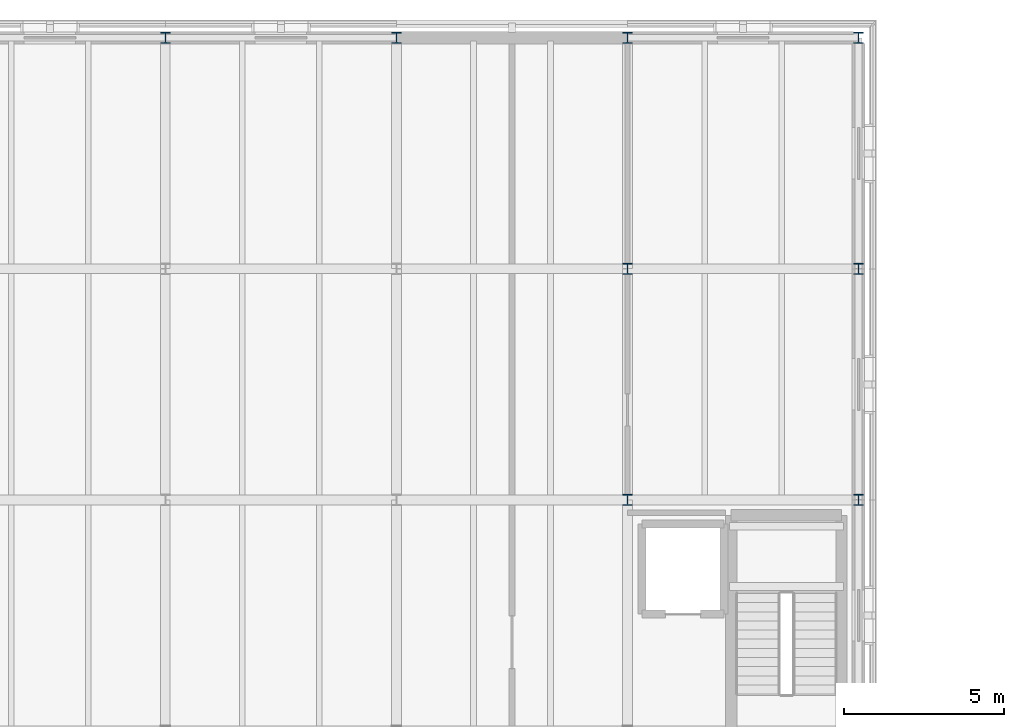
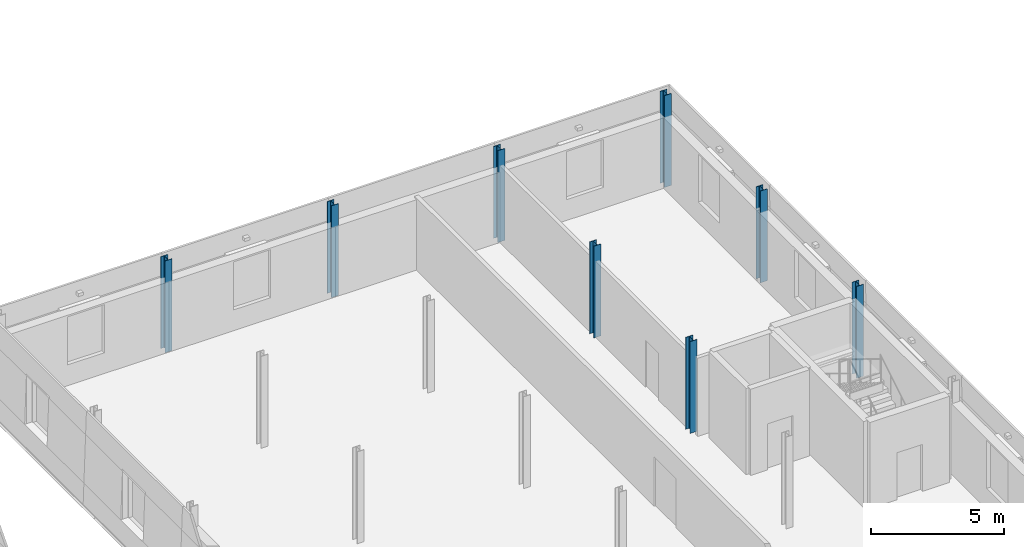
# One storey, part 8 of 91: 8 columns.
"""IFC4 building model written with IfcOpenShell, lengths in metres."""

from ifc_helpers import new_model, si_unit, direction, frame, origin, origin_2d, place, context, subcontext, project, spatial, i_section, extrude, material, material_profile, profile_set, type_object, element, save


model = new_model("IFC4")

# Units and contexts
model_context = context("Model", 3, precision=1e-05, world=origin(), true_north=direction((0.0, 1.0)))
body_context = subcontext(model_context, "Body", "Model", "MODEL_VIEW")
ifc_project = project(units=[si_unit("LENGTHUNIT", "METRE"), si_unit("AREAUNIT", "SQUARE_METRE"), si_unit("VOLUMEUNIT", "CUBIC_METRE"), si_unit("PLANEANGLEUNIT", "RADIAN"), si_unit("MASSUNIT", "GRAM", prefix="KILO")], contexts=[model_context])

# Site, building, storey
site_placement = place(None, origin())
site = spatial("IfcSite", under=ifc_project, at=site_placement, CompositionType="ELEMENT")
building_placement = place(site_placement, origin())
building = spatial("IfcBuilding", under=site, at=building_placement, Name="Narikvali Park Central Library", CompositionType="ELEMENT")
storey_placement = place(building_placement, frame((0.0, 0.0, 14.39990234375)))
storey = spatial("IfcBuildingStorey", under=building, at=storey_placement, Name="L03", CompositionType="ELEMENT", Elevation=14.39990234375)

# Columns
ifc_material = material(Name="Steel S355", Category="steel")
ifc_material_profile = material_profile(ifc_material, i_section(OverallWidth=0.300048828125, OverallDepth=0.340087890625, WebThickness=0.011962890625, FlangeThickness=0.021484375, FilletRadius=0.027099609375, at=origin_2d()), Name="HEB 340")
ifc_profile_set = profile_set([ifc_material_profile], Name="Steel S355")
column_type = type_object("IfcColumnType", Name="Steel Column HEB340", PredefinedType="COLUMN", material=ifc_profile_set)
for number, where, z_axis, x_axis, name in (
    (1, (36.0, 115.199951171875, 0.0), (0.0, 0.0, 1.0), (1.0, 0.0, 0.0), "V4 L03 Column (36.0,115.2)"),
    (2, (43.199951171875, 115.199951171875, 0.0), (0.0, 0.0, 1.0), (1.0, 0.0, 0.0), "V4 L03 Column (43.2,115.2)"),
    (3, (50.39990234375, 100.800048828125, 0.0), (0.0, 0.0, 1.0), (1.0, 0.0, 0.0), "V4 L03 Column (50.4,100.8)"),
    (4, (50.39990234375, 108.0, 0.0), (0.0, 0.0, 1.0), (1.0, 0.0, 0.0), "V4 L03 Column (50.4,108.0)"),
    (5, (50.39990234375, 115.199951171875, 0.0), (0.0, 0.0, 1.0), (1.0, 0.0, 0.0), "V4 L03 Column (50.4,115.2)"),
    (6, (57.60009765625, 100.800048828125, 0.0), (0.0, 0.0, 1.0), (1.0, 0.0, 0.0), "V4 L03 Column (57.6,100.8)"),
    (7, (57.60009765625, 108.0, 0.0), (0.0, 0.0, 1.0), (1.0, 0.0, 0.0), "V4 L03 Column (57.6,108.0)"),
    (8, (57.60009765625, 115.199951171875, 0.0), (0.0, 0.0, 1.0), (1.0, 0.0, 0.0), "V4 L03 Column (57.6,115.2)"),
):
    element("IfcColumn", number, at=place(storey_placement, frame(where, z_axis=z_axis, x_axis=x_axis)), inside=storey, type_object=column_type, Name=name, PredefinedType="COLUMN", context=body_context, shape_type="SweptSolid", body=[
        extrude(i_section(OverallWidth=0.300048828125, OverallDepth=0.340087890625, WebThickness=0.011962890625, FlangeThickness=0.021484375, FilletRadius=0.027099609375, at=origin_2d()), origin(), (0.0, 0.0, 1.0), 4.2001953125),
    ])

save(model, "model.ifc")
